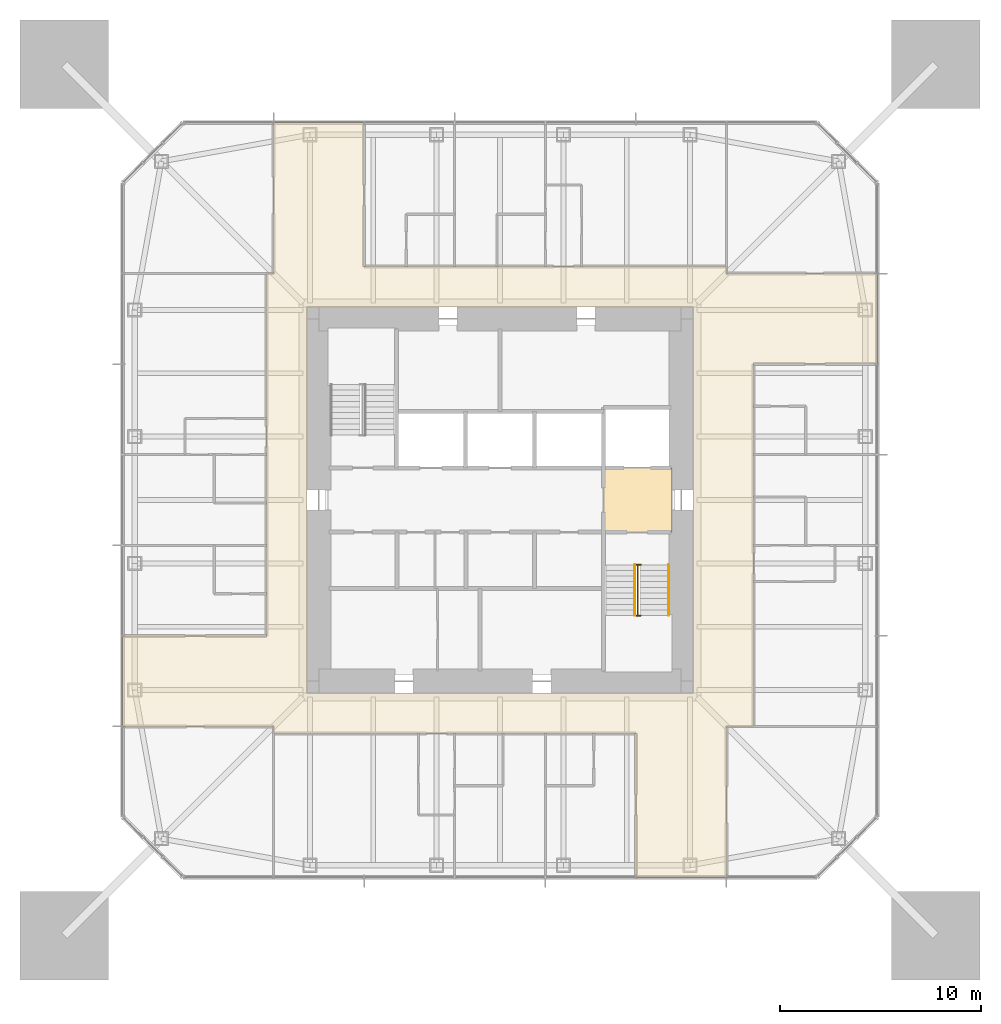
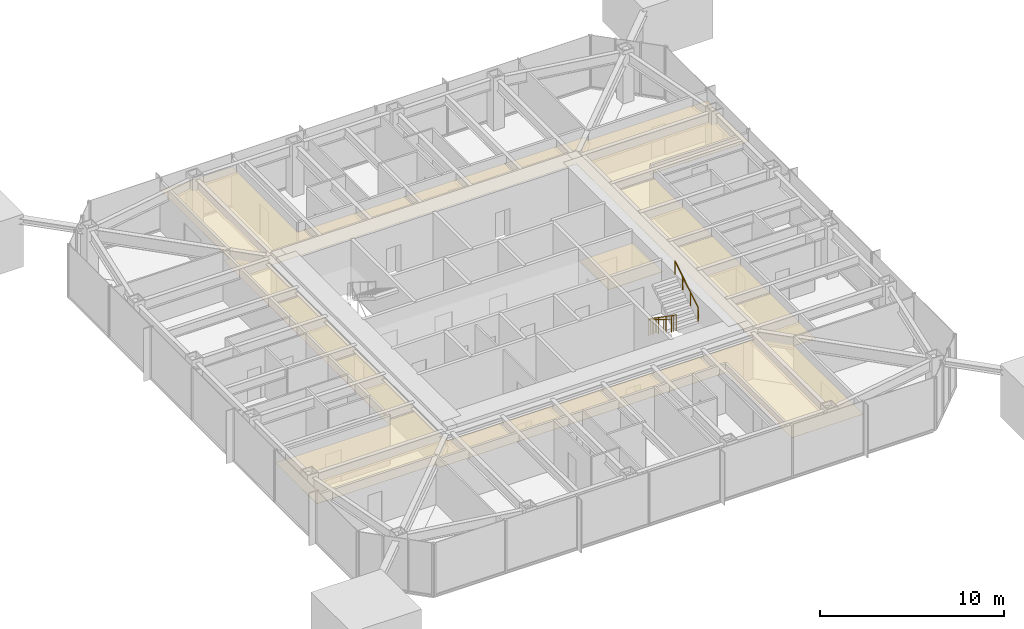
# One storey, part 10 of 11: 3 railings, 2 coverings.
"""IFC4 building model written with IfcOpenShell, lengths in metres."""

from ifc_helpers import new_model, si_unit, direction, frame, origin, origin_2d, place, context, subcontext, project, spatial, polyline, circle, outline, extrude, material, layer, layer_set, constituent, constituent_set, type_object, element, save


model = new_model("IFC4")

# Units and contexts
model_context = context("Model", 3, precision=1e-05, world=origin(), true_north=direction((0.0, 1.0)))
body_context = subcontext(model_context, "Body", "Model", "MODEL_VIEW")
ifc_project = project(units=[si_unit("LENGTHUNIT", "METRE"), si_unit("AREAUNIT", "SQUARE_METRE"), si_unit("VOLUMEUNIT", "CUBIC_METRE"), si_unit("PLANEANGLEUNIT", "RADIAN"), si_unit("MASSUNIT", "GRAM", prefix="KILO")], contexts=[model_context])

# Site, building, storey
site_placement = place(None, origin())
site = spatial("IfcSite", under=ifc_project, at=site_placement, CompositionType="ELEMENT")
building_placement = place(site_placement, origin())
building = spatial("IfcBuilding", under=site, at=building_placement, Name="Iwan Alto Co-Living Towers", CompositionType="ELEMENT")
storey_placement = place(building_placement, frame((0.0, 0.0, 163.5)))
storey = spatial("IfcBuildingStorey", under=building, at=storey_placement, Name="L44", CompositionType="ELEMENT", Elevation=163.5)

# Covering
ifc_material_1 = material(Name="Mineral fibre acoustic tiles on steel grid", Category="steel")
ifc_layer_1 = layer(ifc_material_1, 0.02001953125)
ifc_layer_set_1 = layer_set([ifc_layer_1], Name="ACOUSTIC TILE CEILING 20")
covering_type_1 = type_object("IfcCoveringType", Name="ACOUSTIC TILE CEILING 20", PredefinedType="CEILING", material=ifc_layer_set_1)
covering_1_placement = place(storey_placement, frame((0.0, 0.0, 2.60009765625)))
element("IfcCovering", 1, at=covering_1_placement, inside=storey, type_object=covering_type_1, Name="Ceiling Firefighting lobby L44", PredefinedType="CEILING", context=body_context, shape_type="SweptSolid", body=[
    extrude(outline(polyline([(5.14990234375, -1.60009765625), (5.14990234375, 1.60009765625), (8.550048828125, 1.60009765625), (8.550048828125, -1.60009765625), (5.14990234375, -1.60009765625)])), origin(), (0.0, 0.0, 1.0), 0.02001953125),
])

# Railings
ifc_material_2 = material(Name="Steel ASTM A500 Gr C", Category="steel")
ifc_constituent_1 = constituent(ifc_material_2, Name="Rails and posts", Category="Framing")
ifc_material_3 = material(Name="Steel ASTM A36", Category="steel")
ifc_constituent_2 = constituent(ifc_material_3, Name="Bar infill", Category="Infill")
ifc_constituent_set = constituent_set(constituents=[ifc_constituent_1, ifc_constituent_2], Name="STAIR GUARD 1100")
railing_type_1 = type_object("IfcRailingType", Name="STAIR GUARD 1100", PredefinedType="GUARDRAIL", material=ifc_constituent_set)
railing_1_placement = place(storey_placement, frame((6.85009765625, -3.219970703125, 0.0)))
element("IfcRailing", 2, at=railing_1_placement, inside=storey, type_object=railing_type_1, Name="Stair T1-S2 well guard L44", PredefinedType="GUARDRAIL", context=body_context, shape_type="SweptSolid", body=[
    extrude(circle(Radius=0.02392578125, at=origin_2d()), frame((0.0, 0.0, 1.076171875), z_axis=(0.0, -0.821372036852, 0.570392826987), x_axis=(1.0, 0.0, 0.0)), (0.0, 0.0, 1.0), 3.068115234375),
    extrude(circle(Radius=0.02392578125, at=origin_2d()), frame((-0.150146484375, 0.0, 1.076171875), z_axis=(1.0, 0.0, 0.0), x_axis=(0.0, 1.0, 0.0)), (0.0, 0.0, 1.0), 0.300048828125),
    extrude(circle(Radius=0.02392578125, at=origin_2d()), frame((-0.150146484375, -2.52001953125, 2.826171875), z_axis=(1.0, 0.0, 0.0), x_axis=(0.0, 1.0, 0.0)), (0.0, 0.0, 1.0), 0.300048828125),
    extrude(circle(Radius=0.02099609375, at=origin_2d()), origin(), (0.0, 0.0, 1.0), 1.052001953125),
    extrude(circle(Radius=0.02099609375, at=origin_2d()), frame((0.0, -0.840087890625, 0.583251953125)), (0.0, 0.0, 1.0), 1.052001953125),
    extrude(circle(Radius=0.02099609375, at=origin_2d()), frame((0.0, -1.679931640625, 1.166748046875)), (0.0, 0.0, 1.0), 1.052001953125),
    extrude(circle(Radius=0.02099609375, at=origin_2d()), frame((0.0, -2.52001953125, 1.75)), (0.0, 0.0, 1.0), 1.052001953125),
    extrude(circle(Radius=0.02099609375, at=origin_2d()), frame((-0.150146484375, 0.0, 0.0)), (0.0, 0.0, 1.0), 1.052001953125),
    extrude(circle(Radius=0.02099609375, at=origin_2d()), frame((0.14990234375, 0.0, 0.0)), (0.0, 0.0, 1.0), 1.052001953125),
    extrude(circle(Radius=0.02099609375, at=origin_2d()), frame((-0.150146484375, -2.52001953125, 1.75)), (0.0, 0.0, 1.0), 1.052001953125),
    extrude(circle(Radius=0.02099609375, at=origin_2d()), frame((0.14990234375, -2.52001953125, 1.75)), (0.0, 0.0, 1.0), 1.052001953125),
])
ifc_material_4 = material(Name="Steel ASTM A500 Gr C", Category="steel")
railing_type_2 = type_object("IfcRailingType", Name="STAIR HANDRAIL 900", PredefinedType="HANDRAIL", material=ifc_material_4)
railing_2_placement = place(storey_placement, frame((6.699951171875, -3.219970703125, 0.175048828125)))
element("IfcRailing", 3, at=railing_2_placement, inside=storey, type_object=railing_type_2, Name="Stair T1-S2 handrail 1 L44", PredefinedType="HANDRAIL", context=body_context, shape_type="SweptSolid", body=[
    extrude(circle(Radius=0.02392578125, at=origin_2d()), frame((0.0, 0.0, 0.8759765625), z_axis=(0.0, -0.848007534815, 0.529984170421), x_axis=(1.0, 0.0, 0.0)), (0.0, 0.0, 1.0), 2.9716796875),
    extrude(circle(Radius=0.02099609375, at=origin_2d()), origin(), (0.0, 0.0, 1.0), 0.851806640625),
    extrude(circle(Radius=0.02099609375, at=origin_2d()), frame((0.0, -0.840087890625, 0.52490234375)), (0.0, 0.0, 1.0), 0.851806640625),
    extrude(circle(Radius=0.02099609375, at=origin_2d()), frame((0.0, -1.679931640625, 1.050048828125)), (0.0, 0.0, 1.0), 0.851806640625),
    extrude(circle(Radius=0.02099609375, at=origin_2d()), frame((0.0, -2.52001953125, 1.574951171875)), (0.0, 0.0, 1.0), 0.851806640625),
])
railing_3_placement = place(storey_placement, frame((8.3798828125, -5.739990234375, 1.925048828125)))
element("IfcRailing", 4, at=railing_3_placement, inside=storey, type_object=railing_type_2, Name="Stair T1-S2 handrail 2 L44", PredefinedType="HANDRAIL", context=body_context, shape_type="SweptSolid", body=[
    extrude(circle(Radius=0.02392578125, at=origin_2d()), frame((0.0, 0.0, 0.8759765625), z_axis=(0.0, 0.848007534815, 0.529984170421), x_axis=(-1.0, 0.0, 0.0)), (0.0, 0.0, 1.0), 2.9716796875),
    extrude(circle(Radius=0.02099609375, at=origin_2d()), origin(), (0.0, 0.0, 1.0), 0.851806640625),
    extrude(circle(Radius=0.02099609375, at=origin_2d()), frame((0.0, 0.840087890625, 0.52490234375)), (0.0, 0.0, 1.0), 0.851806640625),
    extrude(circle(Radius=0.02099609375, at=origin_2d()), frame((0.0, 1.679931640625, 1.050048828125)), (0.0, 0.0, 1.0), 0.851806640625),
    extrude(circle(Radius=0.02099609375, at=origin_2d()), frame((0.0, 2.52001953125, 1.574951171875)), (0.0, 0.0, 1.0), 0.851806640625),
])

# Covering
ifc_material_5 = material(Name="Gypsum plasterboard on steel grid", Category="steel")
ifc_layer_2 = layer(ifc_material_5, 0.014892578125)
ifc_layer_set_2 = layer_set([ifc_layer_2], Name="SUSPENDED PLASTERBOARD CEILING 15")
covering_type_2 = type_object("IfcCoveringType", Name="SUSPENDED PLASTERBOARD CEILING 15", PredefinedType="CEILING", material=ifc_layer_set_2)
covering_2_placement = place(storey_placement, frame((0.0, 0.0, 2.60009765625)))
element("IfcCovering", 5, at=covering_2_placement, inside=storey, type_object=covering_type_2, Name="Ceiling Corridor L44", PredefinedType="CEILING", context=body_context, shape_type="SweptSolid", body=[
    extrude(outline(polyline([(-18.75, -11.25), (-18.75, -6.75), (-11.60009765625, -6.75), (-11.60009765625, 11.25), (-11.25, 11.25), (-11.25, 11.60009765625), (-11.25, 18.75), (-6.75, 18.75), (-6.75, 11.60009765625), (11.25, 11.60009765625), (11.25, 11.25), (12.60009765625, 11.25), (18.75, 11.25), (18.75, 6.75), (12.60009765625, 6.75), (12.60009765625, -11.25), (11.25, -11.25), (11.25, -11.60009765625), (11.25, -18.75), (6.75, -18.75), (6.75, -11.60009765625), (-11.25, -11.60009765625), (-11.25, -11.25), (-11.60009765625, -11.25), (-18.75, -11.25)]), holes=[polyline([(9.60009765625, 9.60009765625), (-9.60009765625, 9.60009765625), (-9.60009765625, -9.60009765625), (9.60009765625, -9.60009765625), (9.60009765625, 9.60009765625)])]), origin(), (0.0, 0.0, 1.0), 0.014892578125),
])

save(model, "model.ifc")
